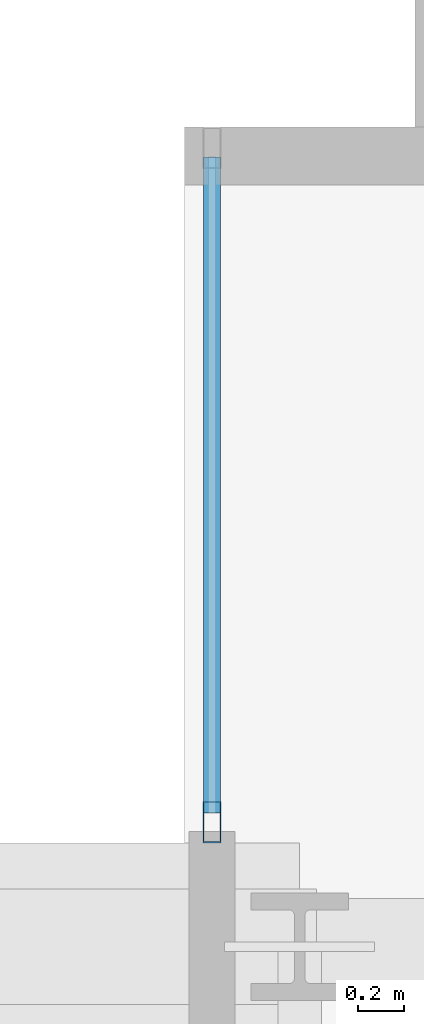
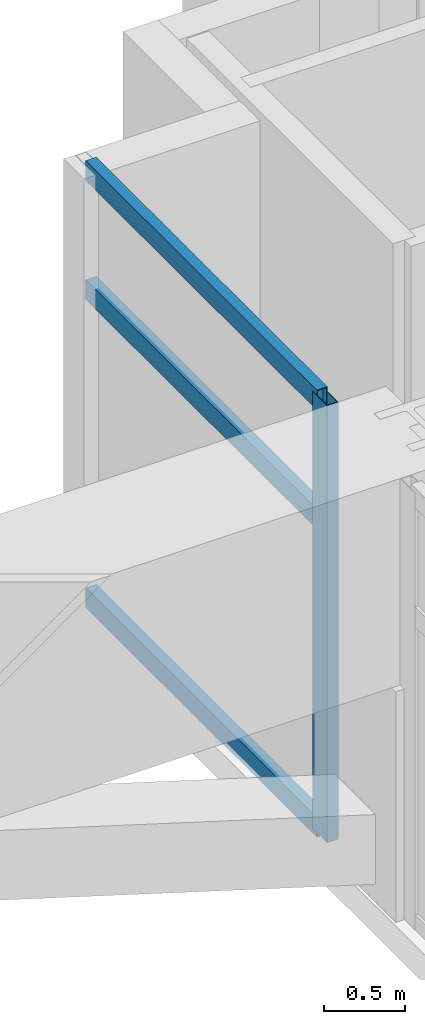
# One storey, part 16 of 28: 4 members, 1 element without a shape of its own.
"""IFC4 building model written with IfcOpenShell, lengths in metres."""

import ifcopenshell
import ifcopenshell.guid

model = None  # the IFC model being written
_history = None  # IfcOwnerHistory: only IFC2X3 demands one
_inside = {}  # id of a spatial element -> (the spatial element, [elements in it])
_under = {}  # id of a project, library or spatial element -> (it, [spatial elements below it])
_declared = {}  # id of a project -> (the project, [libraries it declares])
_typed = {}  # id of a type object -> (the type object, [elements of that type])
_made_of = {}  # id of a material, layer set ... -> (it, [elements and type objects made of it])


def new_model(schema):
    """Start an empty IFC model of exactly this schema.

    Asked for "IFC4X3", IfcOpenShell would pick the latest addendum, in which some entities
    have other attributes; the version numbers below select the first issue.
    IFC2X3 requires an IfcOwnerHistory on every rooted entity: one is made here for all.
    """
    global model, _history
    if schema == "IFC4X3":
        model = ifcopenshell.file(schema_version=(4, 3, 0, 0))
    else:
        model = ifcopenshell.file(schema=schema)
    _inside.clear()
    _under.clear()
    _declared.clear()
    _typed.clear()
    _made_of.clear()
    _history = None
    if model.schema == "IFC2X3":
        org = make("IfcOrganization", Name="unknown")
        user = make(
            "IfcPersonAndOrganization",
            ThePerson=make("IfcPerson", FamilyName="unknown"),
            TheOrganization=org,
        )
        app = make(
            "IfcApplication",
            ApplicationDeveloper=org,
            Version="unknown",
            ApplicationFullName="unknown",
            ApplicationIdentifier="unknown",
        )
        _history = make(
            "IfcOwnerHistory",
            OwningUser=user,
            OwningApplication=app,
            ChangeAction="ADDED",
            CreationDate=0,
        )
    return model


def make(cls, **values):
    """One entity of the class cls with the attributes given. An attribute that is None is left unset."""
    return model.create_entity(
        cls, **{name: value for name, value in values.items() if value is not None}
    )


def rooted(cls, **values):
    """An entity with a GlobalId (a new one), such as an element, a storey or a relation."""
    return make(cls, GlobalId=ifcopenshell.guid.new(), OwnerHistory=_history, **values)


def si_unit(unit_type, name, prefix=None):
    """IfcSIUnit, for example si_unit("LENGTHUNIT", "METRE", prefix="MILLI")."""
    return make("IfcSIUnit", UnitType=unit_type, Prefix=prefix, Name=name)


def assignment(units):
    """IfcUnitAssignment: the units of a project."""
    return None if units is None else make("IfcUnitAssignment", Units=units)


def point(xyz):
    """IfcCartesianPoint."""
    return None if xyz is None else make("IfcCartesianPoint", Coordinates=xyz)


def direction(xyz):
    """IfcDirection."""
    return None if xyz is None else make("IfcDirection", DirectionRatios=xyz)


def frame(location, z_axis=None, x_axis=None):
    """IfcAxis2Placement3D, a coordinate frame: its origin and axes. An axis left out is left unset."""
    return make(
        "IfcAxis2Placement3D",
        Location=point(location),
        Axis=direction(z_axis),
        RefDirection=direction(x_axis),
    )


def frame_2d(location, x_axis=None):
    """IfcAxis2Placement2D, a coordinate frame in the plane: its origin and x axis."""
    return make(
        "IfcAxis2Placement2D", Location=point(location), RefDirection=direction(x_axis)
    )


def origin():
    """The frame at (0, 0, 0) with its axes left unset."""
    return frame((0.0, 0.0, 0.0))


def origin_2d():
    """The frame at (0, 0) in the plane with its x axis left unset."""
    return frame_2d((0.0, 0.0))


def place(relative_to, where):
    """IfcLocalPlacement: puts the frame where relative to a parent placement (None: the world)."""
    return make(
        "IfcLocalPlacement", PlacementRelTo=relative_to, RelativePlacement=where
    )


def context(
    kind, dimensions, precision=None, world=None, true_north=None, identifier=None
):
    """IfcGeometricRepresentationContext, for example the 3D "Model" context."""
    return make(
        "IfcGeometricRepresentationContext",
        ContextIdentifier=identifier,
        ContextType=kind,
        CoordinateSpaceDimension=dimensions,
        Precision=precision,
        WorldCoordinateSystem=world,
        TrueNorth=true_north,
    )


def subcontext(parent, identifier, kind, view, scale=None):
    """IfcGeometricRepresentationSubContext, for example "Body" below "Model"."""
    return make(
        "IfcGeometricRepresentationSubContext",
        ContextIdentifier=identifier,
        ContextType=kind,
        ParentContext=parent,
        TargetScale=scale,
        TargetView=view,
    )


def project(units=None, contexts=None):
    """IfcProject with its units and contexts."""
    return rooted(
        "IfcProject",
        Name="project",
        RepresentationContexts=contexts,
        UnitsInContext=assignment(units),
    )


def spatial(cls, under=None, at=None, **own):
    """A site, building, storey or space (cls), placed at a placement, below another one or the project."""
    s = rooted(cls, ObjectPlacement=at, **own)
    if under is not None:
        _under.setdefault(under.id(), (under, []))[1].append(s)
    return s


def profile(cls, at=None, kind="AREA", **sizes):
    """A parametric profile (cls). Its sizes go by their IFC names, for example OverallWidth=200.0."""
    return make(cls, ProfileType=kind, Position=at, **sizes)


def hollow_rectangle(**sizes):
    """IfcRectangleHollowProfileDef."""
    return profile("IfcRectangleHollowProfileDef", **sizes)


def extrude(swept, where, along, depth):
    """IfcExtrudedAreaSolid: the profile swept, set in the frame where, extruded along a direction by depth."""
    return make(
        "IfcExtrudedAreaSolid",
        SweptArea=swept,
        Position=where,
        ExtrudedDirection=direction(along),
        Depth=depth,
    )


def shape(context_of_items, identifier, shape_type, items):
    """IfcShapeRepresentation: the items that make up one representation, for example the "Body"."""
    return make(
        "IfcShapeRepresentation",
        ContextOfItems=context_of_items,
        RepresentationIdentifier=identifier,
        RepresentationType=shape_type,
        Items=items,
    )


def source(mapping_origin, context_of_items, identifier, shape_type, items):
    """IfcRepresentationMap: a shape defined once, which mapped items show again and again."""
    return make(
        "IfcRepresentationMap",
        MappingOrigin=mapping_origin,
        MappedRepresentation=shape(context_of_items, identifier, shape_type, items),
    )


def transform(
    local_origin,
    x_axis=None,
    y_axis=None,
    z_axis=None,
    scale=None,
    scale2=None,
    scale3=None,
    uniform=True,
):
    """IfcCartesianTransformationOperator3D, or its non-uniform kind. x_axis, y_axis, z_axis: its Axis1, 2, 3."""
    if uniform:
        return make(
            "IfcCartesianTransformationOperator3D",
            Axis1=direction(x_axis),
            Axis2=direction(y_axis),
            LocalOrigin=point(local_origin),
            Scale=scale,
            Axis3=direction(z_axis),
        )
    return make(
        "IfcCartesianTransformationOperator3DnonUniform",
        Axis1=direction(x_axis),
        Axis2=direction(y_axis),
        LocalOrigin=point(local_origin),
        Scale=scale,
        Axis3=direction(z_axis),
        Scale2=scale2,
        Scale3=scale3,
    )


def mapped(mapping_source, mapping_target):
    """IfcMappedItem: shows the shape of a source again, moved by a transform."""
    return make(
        "IfcMappedItem", MappingSource=mapping_source, MappingTarget=mapping_target
    )


def material(Name=None, Category=None):
    """IfcMaterial."""
    return make("IfcMaterial", Name=Name, Category=Category)


def layer(
    of_material, thickness, ventilated=None, Name=None, Category=None, Priority=None
):
    """IfcMaterialLayer: one layer of a wall or slab, of a material (None: an air gap)."""
    return make(
        "IfcMaterialLayer",
        Material=of_material,
        LayerThickness=thickness,
        IsVentilated=ventilated,
        Name=Name,
        Category=Category,
        Priority=Priority,
    )


def layer_set(layers, Name=None):
    """IfcMaterialLayerSet."""
    return make("IfcMaterialLayerSet", MaterialLayers=layers, LayerSetName=Name)


def material_profile(
    of_material, cross_section, Name=None, Category=None, Priority=None
):
    """IfcMaterialProfile: a cross section and its material."""
    return make(
        "IfcMaterialProfile",
        Name=Name,
        Material=of_material,
        Profile=cross_section,
        Priority=Priority,
        Category=Category,
    )


def profile_set(profiles, Name=None, composite=None):
    """IfcMaterialProfileSet."""
    return make(
        "IfcMaterialProfileSet",
        Name=Name,
        MaterialProfiles=profiles,
        CompositeProfile=composite,
    )


def made_of(thing, what):
    """Note that an element or type object is made of a material, layer set ...; save() writes the relation."""
    if what is not None:
        _made_of.setdefault(what.id(), (what, []))[1].append(thing)
    return thing


def type_object(cls, material=None, **own):
    """A type object (cls), such as IfcWallType, which elements share."""
    return made_of(rooted(cls, **own), material)


def element(
    cls,
    number,
    at=None,
    inside=None,
    cuts=None,
    type_object=None,
    material=None,
    context=None,
    identifier="Body",
    shape_type=None,
    held_by="IfcProductDefinitionShape",
    body=None,
    shapes=None,
    **own,
):
    """One element of the class cls, such as IfcWall. Its Tag is "e" and its number.

    at: its placement. inside: the storey or other place that contains it. cuts: it is an
    opening in that element (IfcRelVoidsElement). A single representation is given by context,
    identifier, shape_type and body (its items); several are given by shapes. held_by: the class
    of the entity that holds the representations. save() writes the other relations.
    """
    e = rooted(cls, Tag="e%d" % number, ObjectPlacement=at, **own)
    if body is not None:
        shapes = [shape(context, identifier, shape_type, body)]
    if shapes is not None:
        e.Representation = make(held_by, Representations=shapes)
    if inside is not None:
        _inside.setdefault(inside.id(), (inside, []))[1].append(e)
    if cuts is not None:
        rooted(
            "IfcRelVoidsElement", RelatingBuildingElement=cuts, RelatedOpeningElement=e
        )
    if type_object is not None:
        _typed.setdefault(type_object.id(), (type_object, []))[1].append(e)
    return made_of(e, material)


def aggregate(whole, parts):
    """IfcRelAggregates: a whole, such as a stair, and the parts it consists of."""
    return rooted("IfcRelAggregates", RelatingObject=whole, RelatedObjects=parts)


def save(model, path):
    """Write the relations noted so far, then the file.

    IfcRelAggregates (storeys below a building ...), IfcRelContainedInSpatialStructure (elements
    in a storey), IfcRelDefinesByType, IfcRelAssociatesMaterial and IfcRelDeclares: one each for
    every whole, place, type object, material and project.
    """
    for whole, parts in _under.values():
        aggregate(whole, parts)
    for where, things in _inside.values():
        rooted(
            "IfcRelContainedInSpatialStructure",
            RelatedElements=things,
            RelatingStructure=where,
        )
    for kind, things in _typed.values():
        rooted("IfcRelDefinesByType", RelatedObjects=things, RelatingType=kind)
    for what, things in _made_of.values():
        rooted("IfcRelAssociatesMaterial", RelatedObjects=things, RelatingMaterial=what)
    for by, libraries in _declared.values():
        rooted("IfcRelDeclares", RelatingContext=by, RelatedDefinitions=libraries)
    model.write(path)


model = new_model("IFC4")

# Units and contexts
model_context = context("Model", 3, precision=1e-05, world=origin(), true_north=direction((0.0, 1.0)))
body_context = subcontext(model_context, "Body", "Model", "MODEL_VIEW")
ifc_project = project(units=[si_unit("LENGTHUNIT", "METRE"), si_unit("AREAUNIT", "SQUARE_METRE"), si_unit("VOLUMEUNIT", "CUBIC_METRE"), si_unit("PLANEANGLEUNIT", "RADIAN"), si_unit("MASSUNIT", "GRAM", prefix="KILO")], contexts=[model_context])

# Site, building, storey
site_placement = place(None, origin())
site = spatial("IfcSite", under=ifc_project, at=site_placement, CompositionType="ELEMENT")
building_placement = place(site_placement, origin())
building = spatial("IfcBuilding", under=site, at=building_placement, Name="Ocotamira Hotel", CompositionType="ELEMENT")
storey_placement = place(building_placement, frame((0.0, 0.0, 268.800048828125)))
storey = spatial("IfcBuildingStorey", under=building, at=storey_placement, Name="L68", CompositionType="ELEMENT", Elevation=268.800048828125)

# Curtain wall, members
ifc_material_1 = material(Name="Anodised pale-metal aluminium and solar glass", Category="aluminium")
ifc_layer = layer(ifc_material_1, 0.2099609375)
ifc_layer_set = layer_set([ifc_layer], Name="Anodised pale-metal aluminium and solar glass")
curtain_wall_type = type_object("IfcCurtainWallType", Name="CW-SYS7-PEAK", PredefinedType="NOTDEFINED", material=ifc_layer_set)
curtain_wall_placement = place(storey_placement, origin())
curtain_wall = element("IfcCurtainWall", 1, at=curtain_wall_placement, inside=storey, type_object=curtain_wall_type, Name="L68 Curtain Wall CW-7 CW-L68-EI4", PredefinedType="NOTDEFINED")
ifc_material_2 = material(Name="Anodised pale-metal aluminium 6063-T6", Category="aluminium")
ifc_material_profile_1 = material_profile(ifc_material_2, hollow_rectangle(XDim=0.080078125, YDim=0.179931640625, WallThickness=0.006103515625, at=origin_2d()), Name="HSS180X80X6")
ifc_profile_set_1 = profile_set([ifc_material_profile_1], Name="Anodised pale-metal aluminium 6063-T6")
member_type_1 = type_object("IfcMemberType", Name="CWM-180X75", PredefinedType="MULLION", material=ifc_profile_set_1)
shared_shape_1 = source(origin(), body_context, "Body", "SweptSolid", [
    extrude(hollow_rectangle(XDim=0.080078125, YDim=0.179931640625, WallThickness=0.006103515625, at=origin_2d()), origin(), (0.0, 0.0, 1.0), 3.280029296875),
])
member_1_placement = place(storey_placement, frame((40.1201171875, 37.989990234375, 0.0), z_axis=(0.0, 0.0, 1.0), x_axis=(-1.0, 0.0, 0.0)))
member_1 = element("IfcMember", 2, at=member_1_placement, type_object=member_type_1, Name="CW-7 mullion 1", PredefinedType="MULLION", context=body_context, shape_type="MappedRepresentation", body=[
    mapped(shared_shape_1, transform((0.0, 0.0, 0.0), scale=1.0)),
])
ifc_material_profile_2 = material_profile(ifc_material_2, hollow_rectangle(XDim=0.074951171875, YDim=0.14990234375, WallThickness=0.006103515625, at=origin_2d()), Name="HSS150X75X6")
ifc_profile_set_2 = profile_set([ifc_material_profile_2], Name="Anodised pale-metal aluminium 6063-T6")
member_type_2 = type_object("IfcMemberType", Name="CWT-150X75", PredefinedType="USERDEFINED", material=ifc_profile_set_2)
shared_shape_2 = source(origin(), body_context, "Body", "SweptSolid", [
    extrude(hollow_rectangle(XDim=0.074951171875, YDim=0.14990234375, WallThickness=0.006103515625, at=origin_2d()), origin(), (0.0, 0.0, 1.0), 2.840087890625),
])
member_2_placement = place(storey_placement, frame((40.1201171875, 38.030029296875, 0.037353515625), z_axis=(0.0, 1.0, 0.0), x_axis=(-1.0, 0.0, 0.0)))
member_2 = element("IfcMember", 3, at=member_2_placement, type_object=member_type_2, Name="CW-7 transom 1.1", ObjectType="TRANSOM", PredefinedType="USERDEFINED", context=body_context, shape_type="MappedRepresentation", body=[
    mapped(shared_shape_2, transform((0.0, 0.0, 0.0), scale=1.0)),
])
member_3_placement = place(storey_placement, frame((40.1201171875, 38.030029296875, 2.349853515625), z_axis=(0.0, 1.0, 0.0), x_axis=(-1.0, 0.0, 0.0)))
member_3 = element("IfcMember", 4, at=member_3_placement, type_object=member_type_2, Name="CW-7 transom 1.2", ObjectType="TRANSOM", PredefinedType="USERDEFINED", context=body_context, shape_type="MappedRepresentation", body=[
    mapped(shared_shape_2, transform((0.0, 0.0, 0.0), scale=1.0)),
])
member_4_placement = place(storey_placement, frame((40.1201171875, 38.030029296875, 3.242431640625), z_axis=(0.0, 1.0, 0.0), x_axis=(-1.0, 0.0, 0.0)))
member_4 = element("IfcMember", 5, at=member_4_placement, type_object=member_type_2, Name="CW-7 transom 1.3", ObjectType="TRANSOM", PredefinedType="USERDEFINED", context=body_context, shape_type="MappedRepresentation", body=[
    mapped(shared_shape_2, transform((0.0, 0.0, 0.0), scale=1.0)),
])
aggregate(curtain_wall, [member_1, member_2, member_3, member_4])

save(model, "model.ifc")
